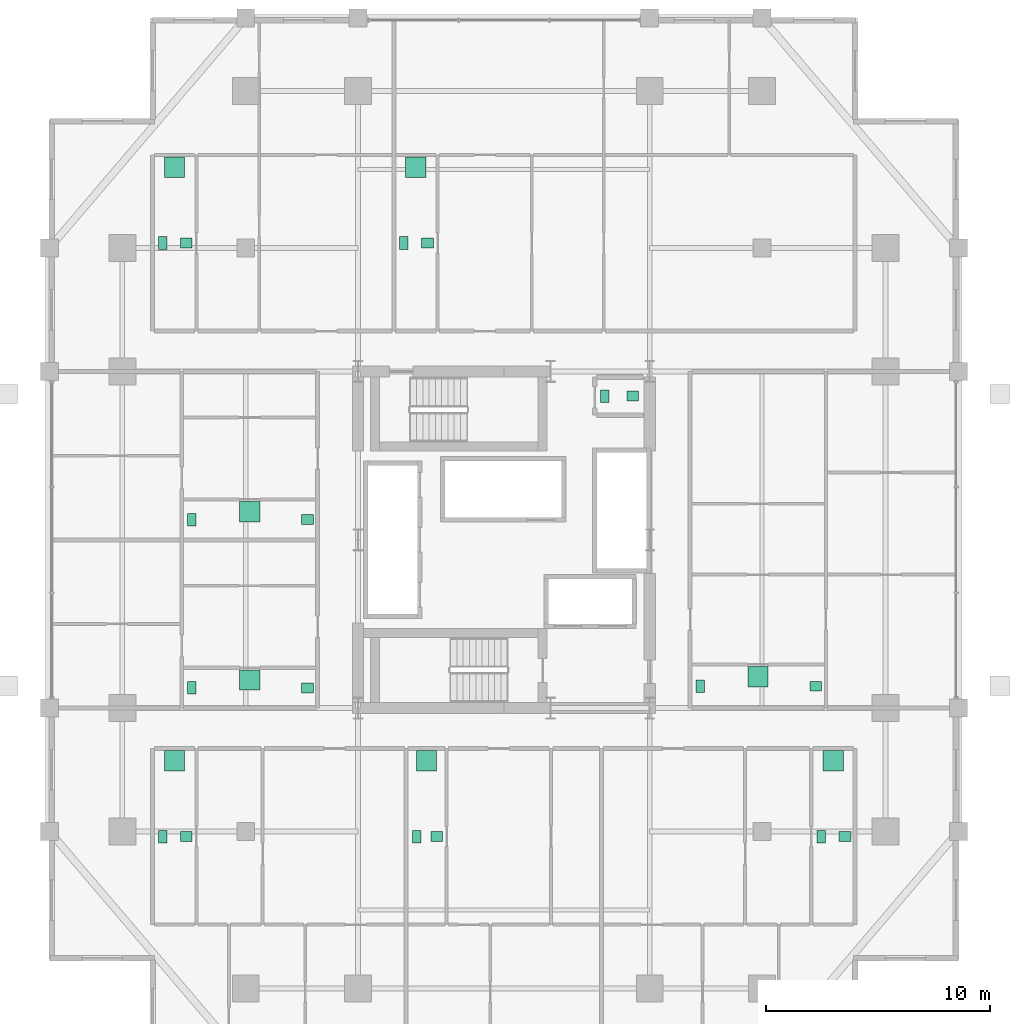
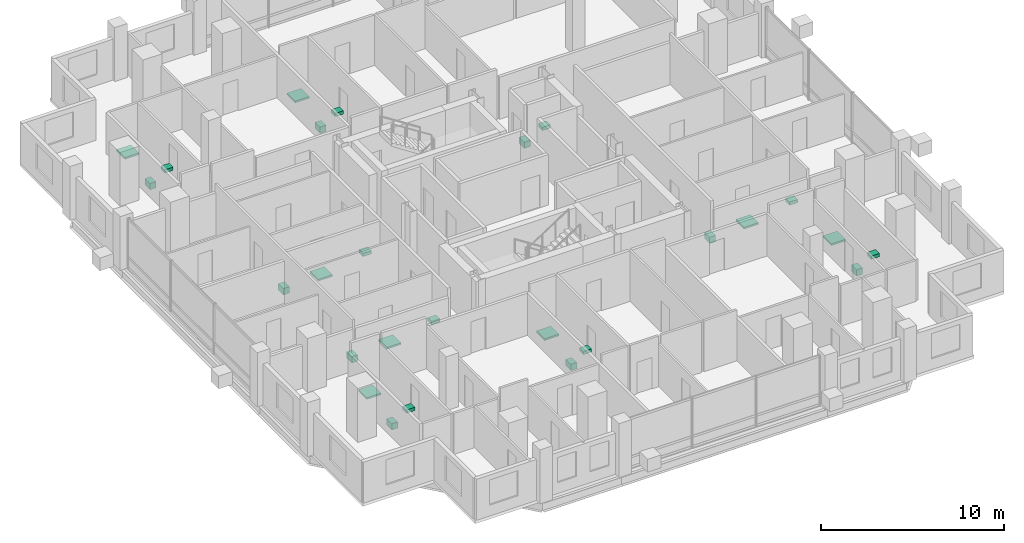
# One storey, part 20 of 20: 26 sanitary terminals.
"""IFC4 building model written with IfcOpenShell, lengths in metres."""

from ifc_helpers import new_model, si_unit, direction, frame, origin, origin_2d, place, context, subcontext, project, spatial, rectangle, extrude, material, type_object, element, save


model = new_model("IFC4")

# Units and contexts
model_context = context("Model", 3, precision=1e-05, world=origin(), true_north=direction((0.0, 1.0)))
body_context = subcontext(model_context, "Body", "Model", "MODEL_VIEW")
ifc_project = project(units=[si_unit("LENGTHUNIT", "METRE"), si_unit("AREAUNIT", "SQUARE_METRE"), si_unit("VOLUMEUNIT", "CUBIC_METRE"), si_unit("PLANEANGLEUNIT", "RADIAN"), si_unit("MASSUNIT", "GRAM", prefix="KILO")], contexts=[model_context])

# Site, building, storey
site_placement = place(None, origin())
site = spatial("IfcSite", under=ifc_project, at=site_placement, CompositionType="ELEMENT")
building_placement = place(site_placement, origin())
building = spatial("IfcBuilding", under=site, at=building_placement, Name="Barlavira Tower and Art Museum", CompositionType="ELEMENT")
storey_placement = place(building_placement, frame((0.0, 0.0, 102.60009765625)))
storey = spatial("IfcBuildingStorey", under=building, at=storey_placement, Name="L25", CompositionType="ELEMENT", Elevation=102.60009765625)

# Sanitary terminals
ifc_material = material(Name="Vitreous glazed ceramic", Category="ceramic")
sanitary_terminal_type_1 = type_object("IfcSanitaryTerminalType", Name="Countertop Ceramic Wash Hand Basin", PredefinedType="WASHHANDBASIN", material=ifc_material)
for number, where, z_axis, x_axis, name in (
    (1, (5.75, 6.39990234375, 0.73974609375), (0.0, 0.0, 1.0), (1.0, 0.0, 0.0), "L25-C-AWC4 Wash Basin"),
    (2, (-14.14990234375, -13.22509765625, 0.73974609375), (0.0, 0.0, 1.0), (1.0, 0.0, 0.0), "L25-S1-BTH1 Wash Basin"),
    (3, (-2.989990234375, -13.22509765625, 0.73974609375), (0.0, 0.0, 1.0), (1.0, 0.0, 0.0), "L25-S2-BTH1 Wash Basin"),
    (4, (15.199951171875, -13.22509765625, 0.73974609375), (0.0, 0.0, 1.0), (1.0, 0.0, 0.0), "L25-S3-BTH1 Wash Basin"),
    (5, (-14.14990234375, 13.22509765625, 0.73974609375), (0.0, 0.0, 1.0), (1.0, 0.0, 0.0), "L25-N1-BTH1 Wash Basin"),
    (6, (-3.39990234375, 13.22509765625, 0.73974609375), (0.0, 0.0, 1.0), (1.0, 0.0, 0.0), "L25-N2-BTH1 Wash Basin"),
    (7, (-8.75, -6.60009765625, 0.73974609375), (0.0, 0.0, 1.0), (1.0, 0.0, 0.0), "L25-W1-BTH1 Wash Basin"),
    (8, (-8.75, 0.89990234375, 0.73974609375), (0.0, 0.0, 1.0), (1.0, 0.0, 0.0), "L25-W2-BTH1 Wash Basin"),
    (9, (13.89990234375, -6.52490234375, 0.73974609375), (0.0, 0.0, 1.0), (1.0, 0.0, 0.0), "L25-E1-BTH1 Wash Basin"),
):
    element("IfcSanitaryTerminal", number, at=place(storey_placement, frame(where, z_axis=z_axis, x_axis=x_axis)), inside=storey, type_object=sanitary_terminal_type_1, Name=name, PredefinedType="WASHHANDBASIN", context=body_context, shape_type="SweptSolid", body=[
        extrude(rectangle(XDim=0.52001953125, YDim=0.43994140625, at=origin_2d()), origin(), (0.0, 0.0, 1.0), 0.219970703125),
    ])
sanitary_terminal_type_2 = type_object("IfcSanitaryTerminalType", Name="Walk-In Thermostatic Rain Shower Unit", PredefinedType="SHOWER", material=ifc_material)
for number, where, z_axis, x_axis, name in (
    (10, (-14.675048828125, -9.85009765625, -0.000244140625), (0.0, 0.0, 1.0), (1.0, 0.0, 0.0), "L25-S1-BTH1 Rain Shower"),
    (11, (-3.43994140625, -9.85009765625, -0.000244140625), (0.0, 0.0, 1.0), (1.0, 0.0, 0.0), "L25-S2-BTH1 Rain Shower"),
    (12, (14.675048828125, -9.85009765625, -0.000244140625), (0.0, 0.0, 1.0), (1.0, 0.0, 0.0), "L25-S3-BTH1 Rain Shower"),
    (13, (-14.675048828125, 16.60009765625, -0.000244140625), (0.0, 0.0, 1.0), (1.0, 0.0, 0.0), "L25-N1-BTH1 Rain Shower"),
    (14, (-3.925048828125, 16.60009765625, -0.000244140625), (0.0, 0.0, 1.0), (1.0, 0.0, 0.0), "L25-N2-BTH1 Rain Shower"),
    (15, (-11.324951171875, -6.25, -0.000244140625), (0.0, 0.0, 1.0), (1.0, 0.0, 0.0), "L25-W1-BTH1 Rain Shower"),
    (16, (-11.324951171875, 1.25, -0.000244140625), (0.0, 0.0, 1.0), (1.0, 0.0, 0.0), "L25-W2-BTH1 Rain Shower"),
    (17, (11.324951171875, -6.10009765625, -0.000244140625), (0.0, 0.0, 1.0), (1.0, 0.0, 0.0), "L25-E1-BTH1 Rain Shower"),
):
    element("IfcSanitaryTerminal", number, at=place(storey_placement, frame(where, z_axis=z_axis, x_axis=x_axis)), inside=storey, type_object=sanitary_terminal_type_2, Name=name, PredefinedType="SHOWER", context=body_context, shape_type="SweptSolid", body=[
        extrude(rectangle(XDim=0.89990234375, YDim=0.89990234375, at=origin_2d()), origin(), (0.0, 0.0, 1.0), 0.1201171875),
    ])
sanitary_terminal_type_3 = type_object("IfcSanitaryTerminalType", Name="Wall-Hung Dual-Flush Vitreous WC Pan", PredefinedType="TOILETPAN", material=ifc_material)
for number, where, z_axis, x_axis, name in (
    (18, (4.5, 6.39990234375, 0.0), (0.0, 0.0, 1.0), (1.0, 0.0, 0.0), "L25-C-AWC4 WC Pan"),
    (19, (-15.199951171875, -13.22509765625, 0.0), (0.0, 0.0, 1.0), (1.0, 0.0, 0.0), "L25-S1-BTH1 WC Pan"),
    (20, (-3.889892578125, -13.22509765625, 0.0), (0.0, 0.0, 1.0), (1.0, 0.0, 0.0), "L25-S2-BTH1 WC Pan"),
    (21, (14.14990234375, -13.22509765625, 0.0), (0.0, 0.0, 1.0), (1.0, 0.0, 0.0), "L25-S3-BTH1 WC Pan"),
    (22, (-15.199951171875, 13.22509765625, 0.0), (0.0, 0.0, 1.0), (1.0, 0.0, 0.0), "L25-N1-BTH1 WC Pan"),
    (23, (-4.449951171875, 13.22509765625, 0.0), (0.0, 0.0, 1.0), (1.0, 0.0, 0.0), "L25-N2-BTH1 WC Pan"),
    (24, (-13.89990234375, -6.60009765625, 0.0), (0.0, 0.0, 1.0), (1.0, 0.0, 0.0), "L25-W1-BTH1 WC Pan"),
    (25, (-13.89990234375, 0.89990234375, 0.0), (0.0, 0.0, 1.0), (1.0, 0.0, 0.0), "L25-W2-BTH1 WC Pan"),
    (26, (8.75, -6.52490234375, 0.0), (0.0, 0.0, 1.0), (1.0, 0.0, 0.0), "L25-E1-BTH1 WC Pan"),
):
    element("IfcSanitaryTerminal", number, at=place(storey_placement, frame(where, z_axis=z_axis, x_axis=x_axis)), inside=storey, type_object=sanitary_terminal_type_3, Name=name, PredefinedType="TOILETPAN", context=body_context, shape_type="SweptSolid", body=[
        extrude(rectangle(XDim=0.3798828125, YDim=0.56005859375, at=origin_2d()), origin(), (0.0, 0.0, 1.0), 0.419921875),
    ])

save(model, "model.ifc")
